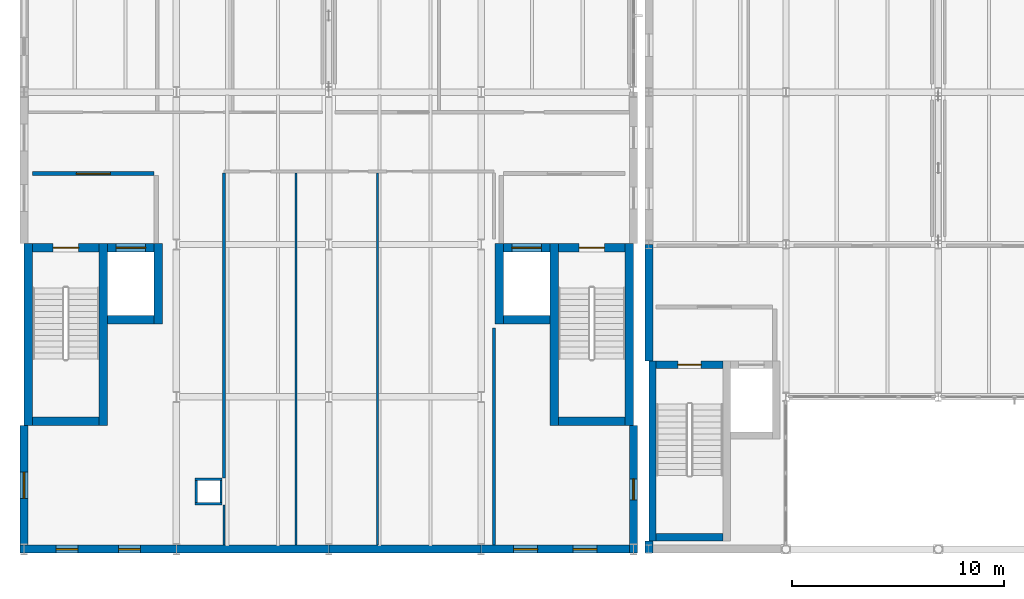
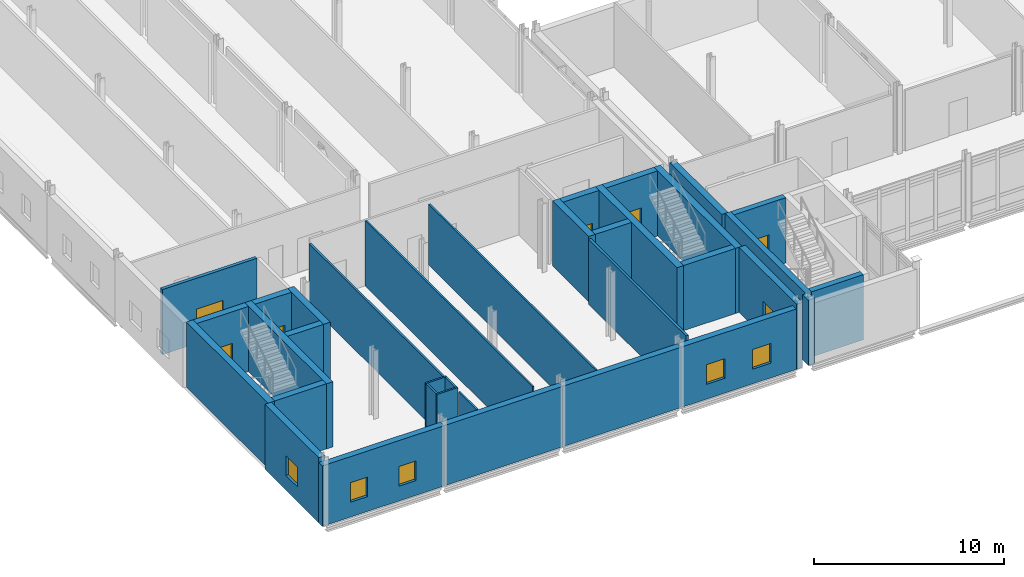
# One storey, part 51 of 76: 35 walls, 6 doors, 6 windows, 12 openings.
"""IFC4 building model written with IfcOpenShell, lengths in metres."""

import ifcopenshell
import ifcopenshell.guid

model = None  # the IFC model being written
_history = None  # IfcOwnerHistory: only IFC2X3 demands one
_inside = {}  # id of a spatial element -> (the spatial element, [elements in it])
_under = {}  # id of a project, library or spatial element -> (it, [spatial elements below it])
_declared = {}  # id of a project -> (the project, [libraries it declares])
_typed = {}  # id of a type object -> (the type object, [elements of that type])
_made_of = {}  # id of a material, layer set ... -> (it, [elements and type objects made of it])


def new_model(schema):
    """Start an empty IFC model of exactly this schema.

    Asked for "IFC4X3", IfcOpenShell would pick the latest addendum, in which some entities
    have other attributes; the version numbers below select the first issue.
    IFC2X3 requires an IfcOwnerHistory on every rooted entity: one is made here for all.
    """
    global model, _history
    if schema == "IFC4X3":
        model = ifcopenshell.file(schema_version=(4, 3, 0, 0))
    else:
        model = ifcopenshell.file(schema=schema)
    _inside.clear()
    _under.clear()
    _declared.clear()
    _typed.clear()
    _made_of.clear()
    _history = None
    if model.schema == "IFC2X3":
        org = make("IfcOrganization", Name="unknown")
        user = make(
            "IfcPersonAndOrganization",
            ThePerson=make("IfcPerson", FamilyName="unknown"),
            TheOrganization=org,
        )
        app = make(
            "IfcApplication",
            ApplicationDeveloper=org,
            Version="unknown",
            ApplicationFullName="unknown",
            ApplicationIdentifier="unknown",
        )
        _history = make(
            "IfcOwnerHistory",
            OwningUser=user,
            OwningApplication=app,
            ChangeAction="ADDED",
            CreationDate=0,
        )
    return model


def make(cls, **values):
    """One entity of the class cls with the attributes given. An attribute that is None is left unset."""
    return model.create_entity(
        cls, **{name: value for name, value in values.items() if value is not None}
    )


def rooted(cls, **values):
    """An entity with a GlobalId (a new one), such as an element, a storey or a relation."""
    return make(cls, GlobalId=ifcopenshell.guid.new(), OwnerHistory=_history, **values)


def si_unit(unit_type, name, prefix=None):
    """IfcSIUnit, for example si_unit("LENGTHUNIT", "METRE", prefix="MILLI")."""
    return make("IfcSIUnit", UnitType=unit_type, Prefix=prefix, Name=name)


def assignment(units):
    """IfcUnitAssignment: the units of a project."""
    return None if units is None else make("IfcUnitAssignment", Units=units)


def point(xyz):
    """IfcCartesianPoint."""
    return None if xyz is None else make("IfcCartesianPoint", Coordinates=xyz)


def direction(xyz):
    """IfcDirection."""
    return None if xyz is None else make("IfcDirection", DirectionRatios=xyz)


def frame(location, z_axis=None, x_axis=None):
    """IfcAxis2Placement3D, a coordinate frame: its origin and axes. An axis left out is left unset."""
    return make(
        "IfcAxis2Placement3D",
        Location=point(location),
        Axis=direction(z_axis),
        RefDirection=direction(x_axis),
    )


def frame_2d(location, x_axis=None):
    """IfcAxis2Placement2D, a coordinate frame in the plane: its origin and x axis."""
    return make(
        "IfcAxis2Placement2D", Location=point(location), RefDirection=direction(x_axis)
    )


def origin():
    """The frame at (0, 0, 0) with its axes left unset."""
    return frame((0.0, 0.0, 0.0))


def place(relative_to, where):
    """IfcLocalPlacement: puts the frame where relative to a parent placement (None: the world)."""
    return make(
        "IfcLocalPlacement", PlacementRelTo=relative_to, RelativePlacement=where
    )


def context(
    kind, dimensions, precision=None, world=None, true_north=None, identifier=None
):
    """IfcGeometricRepresentationContext, for example the 3D "Model" context."""
    return make(
        "IfcGeometricRepresentationContext",
        ContextIdentifier=identifier,
        ContextType=kind,
        CoordinateSpaceDimension=dimensions,
        Precision=precision,
        WorldCoordinateSystem=world,
        TrueNorth=true_north,
    )


def subcontext(parent, identifier, kind, view, scale=None):
    """IfcGeometricRepresentationSubContext, for example "Body" below "Model"."""
    return make(
        "IfcGeometricRepresentationSubContext",
        ContextIdentifier=identifier,
        ContextType=kind,
        ParentContext=parent,
        TargetScale=scale,
        TargetView=view,
    )


def project(units=None, contexts=None):
    """IfcProject with its units and contexts."""
    return rooted(
        "IfcProject",
        Name="project",
        RepresentationContexts=contexts,
        UnitsInContext=assignment(units),
    )


def spatial(cls, under=None, at=None, **own):
    """A site, building, storey or space (cls), placed at a placement, below another one or the project."""
    s = rooted(cls, ObjectPlacement=at, **own)
    if under is not None:
        _under.setdefault(under.id(), (under, []))[1].append(s)
    return s


def profile(cls, at=None, kind="AREA", **sizes):
    """A parametric profile (cls). Its sizes go by their IFC names, for example OverallWidth=200.0."""
    return make(cls, ProfileType=kind, Position=at, **sizes)


def rectangle(**sizes):
    """IfcRectangleProfileDef."""
    return profile("IfcRectangleProfileDef", **sizes)


def extrude(swept, where, along, depth):
    """IfcExtrudedAreaSolid: the profile swept, set in the frame where, extruded along a direction by depth."""
    return make(
        "IfcExtrudedAreaSolid",
        SweptArea=swept,
        Position=where,
        ExtrudedDirection=direction(along),
        Depth=depth,
    )


def shape(context_of_items, identifier, shape_type, items):
    """IfcShapeRepresentation: the items that make up one representation, for example the "Body"."""
    return make(
        "IfcShapeRepresentation",
        ContextOfItems=context_of_items,
        RepresentationIdentifier=identifier,
        RepresentationType=shape_type,
        Items=items,
    )


def material(Name=None, Category=None):
    """IfcMaterial."""
    return make("IfcMaterial", Name=Name, Category=Category)


def layer(
    of_material, thickness, ventilated=None, Name=None, Category=None, Priority=None
):
    """IfcMaterialLayer: one layer of a wall or slab, of a material (None: an air gap)."""
    return make(
        "IfcMaterialLayer",
        Material=of_material,
        LayerThickness=thickness,
        IsVentilated=ventilated,
        Name=Name,
        Category=Category,
        Priority=Priority,
    )


def layer_set(layers, Name=None):
    """IfcMaterialLayerSet."""
    return make("IfcMaterialLayerSet", MaterialLayers=layers, LayerSetName=Name)


def made_of(thing, what):
    """Note that an element or type object is made of a material, layer set ...; save() writes the relation."""
    if what is not None:
        _made_of.setdefault(what.id(), (what, []))[1].append(thing)
    return thing


def type_object(cls, material=None, **own):
    """A type object (cls), such as IfcWallType, which elements share."""
    return made_of(rooted(cls, **own), material)


def element(
    cls,
    number,
    at=None,
    inside=None,
    cuts=None,
    type_object=None,
    material=None,
    context=None,
    identifier="Body",
    shape_type=None,
    held_by="IfcProductDefinitionShape",
    body=None,
    shapes=None,
    **own,
):
    """One element of the class cls, such as IfcWall. Its Tag is "e" and its number.

    at: its placement. inside: the storey or other place that contains it. cuts: it is an
    opening in that element (IfcRelVoidsElement). A single representation is given by context,
    identifier, shape_type and body (its items); several are given by shapes. held_by: the class
    of the entity that holds the representations. save() writes the other relations.
    """
    e = rooted(cls, Tag="e%d" % number, ObjectPlacement=at, **own)
    if body is not None:
        shapes = [shape(context, identifier, shape_type, body)]
    if shapes is not None:
        e.Representation = make(held_by, Representations=shapes)
    if inside is not None:
        _inside.setdefault(inside.id(), (inside, []))[1].append(e)
    if cuts is not None:
        rooted(
            "IfcRelVoidsElement", RelatingBuildingElement=cuts, RelatedOpeningElement=e
        )
    if type_object is not None:
        _typed.setdefault(type_object.id(), (type_object, []))[1].append(e)
    return made_of(e, material)


def fill(opening, filler):
    """IfcRelFillsElement: the door or window that sits in an opening."""
    return rooted(
        "IfcRelFillsElement",
        RelatingOpeningElement=opening,
        RelatedBuildingElement=filler,
    )


def aggregate(whole, parts):
    """IfcRelAggregates: a whole, such as a stair, and the parts it consists of."""
    return rooted("IfcRelAggregates", RelatingObject=whole, RelatedObjects=parts)


def save(model, path):
    """Write the relations noted so far, then the file.

    IfcRelAggregates (storeys below a building ...), IfcRelContainedInSpatialStructure (elements
    in a storey), IfcRelDefinesByType, IfcRelAssociatesMaterial and IfcRelDeclares: one each for
    every whole, place, type object, material and project.
    """
    for whole, parts in _under.values():
        aggregate(whole, parts)
    for where, things in _inside.values():
        rooted(
            "IfcRelContainedInSpatialStructure",
            RelatedElements=things,
            RelatingStructure=where,
        )
    for kind, things in _typed.values():
        rooted("IfcRelDefinesByType", RelatedObjects=things, RelatingType=kind)
    for what, things in _made_of.values():
        rooted("IfcRelAssociatesMaterial", RelatedObjects=things, RelatingMaterial=what)
    for by, libraries in _declared.values():
        rooted("IfcRelDeclares", RelatingContext=by, RelatedDefinitions=libraries)
    model.write(path)


model = new_model("IFC4")

# Units and contexts
model_context = context("Model", 3, precision=1e-05, world=origin(), true_north=direction((0.0, 1.0)))
body_context = subcontext(model_context, "Body", "Model", "MODEL_VIEW")
ifc_project = project(units=[si_unit("LENGTHUNIT", "METRE"), si_unit("AREAUNIT", "SQUARE_METRE"), si_unit("VOLUMEUNIT", "CUBIC_METRE"), si_unit("PLANEANGLEUNIT", "RADIAN"), si_unit("MASSUNIT", "GRAM", prefix="KILO")], contexts=[model_context])

# Site, building, storey
site_placement = place(None, origin())
site = spatial("IfcSite", under=ifc_project, at=site_placement, CompositionType="ELEMENT")
building_placement = place(site_placement, origin())
building = spatial("IfcBuilding", under=site, at=building_placement, Name="Zarrinpeak Specialist Clinic", CompositionType="ELEMENT")
storey_placement = place(building_placement, frame((0.0, 0.0, 5.199951171875)))
storey = spatial("IfcBuildingStorey", under=building, at=storey_placement, Name="L01", CompositionType="ELEMENT", Elevation=5.199951171875)

# Wall
ifc_material_1 = material(Name="Concrete C40/50", Category="concrete")
ifc_layer_1 = layer(ifc_material_1, 0.35009765625)
ifc_layer_set_1 = layer_set([ifc_layer_1], Name="Concrete C40/50")
wall_type_1 = type_object("IfcWallType", Name="WL-CR350", PredefinedType="SHEAR", material=ifc_layer_set_1)
wall_1_placement = place(storey_placement, frame((29.8701171875, 0.574951171875, 0.0), z_axis=(0.0, 0.0, 1.0), x_axis=(1.0, 0.0, 0.0)))
element("IfcWall", 1, at=wall_1_placement, inside=storey, type_object=wall_type_1, Name="L01 Core C03 Shear Wall STS", PredefinedType="SHEAR", context=body_context, shape_type="SweptSolid", body=[
    extrude(rectangle(XDim=3.14990234375, YDim=0.35009765625, at=frame_2d((1.574951171875, 0.0))), origin(), (0.0, 0.0, 1.0), 4.18505859375),
])

# Wall, opening, door
wall_2_placement = place(storey_placement, frame((29.8701171875, 8.72509765625, 0.0), z_axis=(0.0, 0.0, 1.0), x_axis=(1.0, 0.0, 0.0)))
wall_2 = element("IfcWall", 2, at=wall_2_placement, inside=storey, type_object=wall_type_1, Name="L01 Core C03 Shear Wall STN", PredefinedType="SHEAR", context=body_context, shape_type="SweptSolid", body=[
    extrude(rectangle(XDim=3.14990234375, YDim=0.35009765625, at=frame_2d((1.574951171875, 0.0))), origin(), (0.0, 0.0, 1.0), 4.18505859375),
])
opening_1_placement = place(wall_2_placement, frame((1.02490234375, 0.0, 0.0)))
opening_1 = element("IfcOpeningElement", 3, at=opening_1_placement, cuts=wall_2, Name="Opening D-S02", PredefinedType="OPENING", context=body_context, shape_type="SweptSolid", body=[
    extrude(rectangle(XDim=1.10009765625, YDim=2.14990234375, at=frame_2d((0.550048828125, 1.074951171875))), frame((0.0, 0.18505859375, 0.0), z_axis=(0.0, -1.0, 0.0), x_axis=(1.0, 0.0, 0.0)), (0.0, 0.0, 1.0), 0.3701171875),
])
ifc_material_2 = material(Name="Powder-Coated Galvanised Steel", Category="steel")
door_type_1 = type_object("IfcDoorType", Name="DR-FD110", OperationType="SINGLE_SWING_RIGHT", PredefinedType="DOOR", material=ifc_material_2)
door_1_placement = place(opening_1_placement, frame((1.10009765625, 0.0, 0.0), z_axis=(0.0, 0.0, 1.0), x_axis=(-1.0, 0.0, 0.0)))
door_1 = element("IfcDoor", 4, at=door_1_placement, inside=storey, type_object=door_type_1, Name="L01 Protected Stair ST-03 Fire Door", OperationType="SINGLE_SWING_RIGHT", OverallHeight=2.14990234375, OverallWidth=1.10009765625, PredefinedType="DOOR", context=body_context, shape_type="SweptSolid", body=[
    extrude(rectangle(XDim=1.10009765625, YDim=2.14990234375, at=frame_2d((0.550048828125, 1.074951171875))), frame((0.0, 0.02490234375, 0.0), z_axis=(0.0, -1.0, 0.0), x_axis=(1.0, 0.0, 0.0)), (0.0, 0.0, 1.0), 0.050048828125),
])
fill(opening_1, door_1)

# Walls
wall_3_placement = place(storey_placement, frame((29.695068359375, 0.39990234375, 0.0), z_axis=(0.0, 0.0, 1.0), x_axis=(0.0, 1.0, 0.0)))
element("IfcWall", 5, at=wall_3_placement, inside=storey, type_object=wall_type_1, Name="L01 Core C03 Shear Wall STW", PredefinedType="SHEAR", context=body_context, shape_type="SweptSolid", body=[
    extrude(rectangle(XDim=8.5, YDim=0.35009765625, at=frame_2d((4.25, 0.0))), origin(), (0.0, 0.0, 1.0), 4.18505859375),
])
ifc_layer_2 = layer(ifc_material_1, 0.39990234375)
ifc_layer_set_2 = layer_set([ifc_layer_2], Name="Concrete C40/50")
wall_type_2 = type_object("IfcWallType", Name="WL-CR400", PredefinedType="SHEAR", material=ifc_layer_set_2)
wall_4_placement = place(storey_placement, frame((0.39990234375, 6.050048828125, 0.0), z_axis=(0.0, 0.0, 1.0), x_axis=(1.0, 0.0, 0.0)))
element("IfcWall", 6, at=wall_4_placement, inside=storey, type_object=wall_type_2, Name="L01 Core C01 Shear Wall STS", PredefinedType="SHEAR", context=body_context, shape_type="SweptSolid", body=[
    extrude(rectangle(XDim=3.150146484375, YDim=0.39990234375, at=frame_2d((1.5751953125, 0.0))), origin(), (0.0, 0.0, 1.0), 4.18505859375),
])

# Wall, opening, door
wall_5_placement = place(storey_placement, frame((0.39990234375, 14.25, 0.0), z_axis=(0.0, 0.0, 1.0), x_axis=(1.0, 0.0, 0.0)))
wall_5 = element("IfcWall", 7, at=wall_5_placement, inside=storey, type_object=wall_type_2, Name="L01 Core C01 Shear Wall STN", PredefinedType="SHEAR", context=body_context, shape_type="SweptSolid", body=[
    extrude(rectangle(XDim=3.150146484375, YDim=0.39990234375, at=frame_2d((1.5751953125, 0.0))), origin(), (0.0, 0.0, 1.0), 4.18505859375),
])
opening_2_placement = place(wall_5_placement, frame((0.97509765625, 0.0, 0.0)))
opening_2 = element("IfcOpeningElement", 8, at=opening_2_placement, cuts=wall_5, Name="Opening D-S01", PredefinedType="OPENING", context=body_context, shape_type="SweptSolid", body=[
    extrude(rectangle(XDim=1.199951171875, YDim=2.14990234375, at=frame_2d((0.60009765625, 1.074951171875))), frame((0.0, 0.2099609375, 0.0), z_axis=(0.0, -1.0, 0.0), x_axis=(1.0, 0.0, 0.0)), (0.0, 0.0, 1.0), 0.419921875),
])
door_type_2 = type_object("IfcDoorType", Name="DR-FD120", OperationType="SINGLE_SWING_LEFT", PredefinedType="DOOR", material=ifc_material_2)
door_2_placement = place(opening_2_placement, frame((1.199951171875, 0.0, 0.0), z_axis=(0.0, 0.0, 1.0), x_axis=(-1.0, 0.0, 0.0)))
door_2 = element("IfcDoor", 9, at=door_2_placement, inside=storey, type_object=door_type_2, Name="L01 Protected Stair ST-01 Fire Door", OperationType="SINGLE_SWING_LEFT", OverallHeight=2.14990234375, OverallWidth=1.199951171875, PredefinedType="DOOR", context=body_context, shape_type="SweptSolid", body=[
    extrude(rectangle(XDim=1.199951171875, YDim=2.14990234375, at=frame_2d((0.60009765625, 1.074951171875))), frame((0.0, 0.02490234375, 0.0), z_axis=(0.0, -1.0, 0.0), x_axis=(1.0, 0.0, 0.0)), (0.0, 0.0, 1.0), 0.050048828125),
])
fill(opening_2, door_2)

# Walls
for number, where, z_axis, x_axis, name in (
    (10, (0.199951171875, 5.85009765625, 0.0), (0.0, 0.0, 1.0), (0.0, 1.0, 0.0), "L01 Core C01 Shear Wall STW"),
    (11, (3.75, 5.85009765625, 0.0), (0.0, 0.0, 1.0), (0.0, 1.0, 0.0), "L01 Core C01 Shear Wall STE"),
):
    element("IfcWall", number, at=place(storey_placement, frame(where, z_axis=z_axis, x_axis=x_axis)), inside=storey, type_object=wall_type_2, Name=name, PredefinedType="SHEAR", context=body_context, shape_type="SweptSolid", body=[
        extrude(rectangle(XDim=8.599853515625, YDim=0.39990234375, at=frame_2d((4.2998046875, 0.0))), origin(), (0.0, 0.0, 1.0), 4.18505859375),
    ])
wall_6_placement = place(storey_placement, frame((3.949951171875, 10.85009765625, 0.0), z_axis=(0.0, 0.0, 1.0), x_axis=(1.0, 0.0, 0.0)))
element("IfcWall", 12, at=wall_6_placement, inside=storey, type_object=wall_type_2, Name="L01 Lift LF-FF1 Shaft Wall LFS", PredefinedType="SHEAR", context=body_context, shape_type="SweptSolid", body=[
    extrude(rectangle(XDim=2.199951171875, YDim=0.39990234375, at=frame_2d((1.10009765625, 0.0))), origin(), (0.0, 0.0, 1.0), 4.18505859375),
])

# Wall, opening, door
wall_7_placement = place(storey_placement, frame((3.949951171875, 14.25, 0.0), z_axis=(0.0, 0.0, 1.0), x_axis=(1.0, 0.0, 0.0)))
wall_7 = element("IfcWall", 13, at=wall_7_placement, inside=storey, type_object=wall_type_2, Name="L01 Lift LF-FF1 Shaft Wall LFN", PredefinedType="SHEAR", context=body_context, shape_type="SweptSolid", body=[
    extrude(rectangle(XDim=2.199951171875, YDim=0.39990234375, at=frame_2d((1.10009765625, 0.0))), origin(), (0.0, 0.0, 1.0), 4.18505859375),
])
opening_3_placement = place(wall_7_placement, frame((0.39990234375, 0.0, 0.0)))
opening_3 = element("IfcOpeningElement", 14, at=opening_3_placement, cuts=wall_7, Name="Opening LD-01", PredefinedType="OPENING", context=body_context, shape_type="SweptSolid", body=[
    extrude(rectangle(XDim=1.39990234375, YDim=2.199951171875, at=frame_2d((0.699951171875, 1.10009765625))), frame((0.0, 0.2099609375, 0.0), z_axis=(0.0, -1.0, 0.0), x_axis=(1.0, 0.0, 0.0)), (0.0, 0.0, 1.0), 0.419921875),
])
door_type_3 = type_object("IfcDoorType", Name="DR-LD140", OperationType="SLIDING_TO_LEFT", PredefinedType="DOOR", material=ifc_material_2)
door_3_placement = place(opening_3_placement, origin())
door_3 = element("IfcDoor", 15, at=door_3_placement, inside=storey, type_object=door_type_3, Name="L01 Lift LF-FF1 Sliding Landing Door", OperationType="SLIDING_TO_LEFT", OverallHeight=2.199951171875, OverallWidth=1.39990234375, PredefinedType="DOOR", context=body_context, shape_type="SweptSolid", body=[
    extrude(rectangle(XDim=1.39990234375, YDim=2.199951171875, at=frame_2d((0.699951171875, 1.10009765625))), frame((0.0, 0.02490234375, 0.0), z_axis=(0.0, -1.0, 0.0), x_axis=(1.0, 0.0, 0.0)), (0.0, 0.0, 1.0), 0.050048828125),
])
fill(opening_3, door_3)

# Walls
wall_8_placement = place(storey_placement, frame((6.35009765625, 10.64990234375, 0.0), z_axis=(0.0, 0.0, 1.0), x_axis=(0.0, 1.0, 0.0)))
element("IfcWall", 16, at=wall_8_placement, inside=storey, type_object=wall_type_2, Name="L01 Lift LF-FF1 Shaft Wall LFE", PredefinedType="SHEAR", context=body_context, shape_type="SweptSolid", body=[
    extrude(rectangle(XDim=3.800048828125, YDim=0.39990234375, at=frame_2d((1.89990234375, 0.0))), origin(), (0.0, 0.0, 1.0), 4.18505859375),
])
wall_9_placement = place(storey_placement, frame((25.25, 6.050048828125, 0.0), z_axis=(0.0, 0.0, 1.0), x_axis=(1.0, 0.0, 0.0)))
element("IfcWall", 17, at=wall_9_placement, inside=storey, type_object=wall_type_2, Name="L01 Core C02 Shear Wall STS", PredefinedType="SHEAR", context=body_context, shape_type="SweptSolid", body=[
    extrude(rectangle(XDim=3.14990234375, YDim=0.39990234375, at=frame_2d((1.574951171875, 0.0))), origin(), (0.0, 0.0, 1.0), 4.18505859375),
])

# Wall, opening, door
wall_10_placement = place(storey_placement, frame((25.25, 14.25, 0.0), z_axis=(0.0, 0.0, 1.0), x_axis=(1.0, 0.0, 0.0)))
wall_10 = element("IfcWall", 18, at=wall_10_placement, inside=storey, type_object=wall_type_2, Name="L01 Core C02 Shear Wall STN", PredefinedType="SHEAR", context=body_context, shape_type="SweptSolid", body=[
    extrude(rectangle(XDim=3.14990234375, YDim=0.39990234375, at=frame_2d((1.574951171875, 0.0))), origin(), (0.0, 0.0, 1.0), 4.18505859375),
])
opening_4_placement = place(wall_10_placement, frame((0.97509765625, 0.0, 0.0)))
opening_4 = element("IfcOpeningElement", 19, at=opening_4_placement, cuts=wall_10, Name="Opening D-S01", PredefinedType="OPENING", context=body_context, shape_type="SweptSolid", body=[
    extrude(rectangle(XDim=1.199951171875, YDim=2.14990234375, at=frame_2d((0.60009765625, 1.074951171875))), frame((0.0, 0.2099609375, 0.0), z_axis=(0.0, -1.0, 0.0), x_axis=(1.0, 0.0, 0.0)), (0.0, 0.0, 1.0), 0.419921875),
])
door_4_placement = place(opening_4_placement, frame((1.199951171875, 0.0, 0.0), z_axis=(0.0, 0.0, 1.0), x_axis=(-1.0, 0.0, 0.0)))
door_4 = element("IfcDoor", 20, at=door_4_placement, inside=storey, type_object=door_type_2, Name="L01 Protected Stair ST-02 Fire Door", OperationType="SINGLE_SWING_LEFT", OverallHeight=2.14990234375, OverallWidth=1.199951171875, PredefinedType="DOOR", context=body_context, shape_type="SweptSolid", body=[
    extrude(rectangle(XDim=1.199951171875, YDim=2.14990234375, at=frame_2d((0.60009765625, 1.074951171875))), frame((0.0, 0.02490234375, 0.0), z_axis=(0.0, -1.0, 0.0), x_axis=(1.0, 0.0, 0.0)), (0.0, 0.0, 1.0), 0.050048828125),
])
fill(opening_4, door_4)

# Walls
for number, where, z_axis, x_axis, name in (
    (21, (25.050048828125, 5.85009765625, 0.0), (0.0, 0.0, 1.0), (0.0, 1.0, 0.0), "L01 Core C02 Shear Wall STW"),
    (22, (28.60009765625, 5.85009765625, 0.0), (0.0, 0.0, 1.0), (0.0, 1.0, 0.0), "L01 Core C02 Shear Wall STE"),
):
    element("IfcWall", number, at=place(storey_placement, frame(where, z_axis=z_axis, x_axis=x_axis)), inside=storey, type_object=wall_type_2, Name=name, PredefinedType="SHEAR", context=body_context, shape_type="SweptSolid", body=[
        extrude(rectangle(XDim=8.599853515625, YDim=0.39990234375, at=frame_2d((4.2998046875, 0.0))), origin(), (0.0, 0.0, 1.0), 4.18505859375),
    ])
wall_11_placement = place(storey_placement, frame((22.64990234375, 10.85009765625, 0.0), z_axis=(0.0, 0.0, 1.0), x_axis=(1.0, 0.0, 0.0)))
element("IfcWall", 23, at=wall_11_placement, inside=storey, type_object=wall_type_2, Name="L01 Lift LF-FF2 Shaft Wall LFS", PredefinedType="SHEAR", context=body_context, shape_type="SweptSolid", body=[
    extrude(rectangle(XDim=2.2001953125, YDim=0.39990234375, at=frame_2d((1.10009765625, 0.0))), origin(), (0.0, 0.0, 1.0), 4.18505859375),
])

# Wall, opening, door
wall_12_placement = place(storey_placement, frame((22.64990234375, 14.25, 0.0), z_axis=(0.0, 0.0, 1.0), x_axis=(1.0, 0.0, 0.0)))
wall_12 = element("IfcWall", 24, at=wall_12_placement, inside=storey, type_object=wall_type_2, Name="L01 Lift LF-FF2 Shaft Wall LFN", PredefinedType="SHEAR", context=body_context, shape_type="SweptSolid", body=[
    extrude(rectangle(XDim=2.2001953125, YDim=0.39990234375, at=frame_2d((1.10009765625, 0.0))), origin(), (0.0, 0.0, 1.0), 4.18505859375),
])
opening_5_placement = place(wall_12_placement, frame((0.39990234375, 0.0, 0.0)))
opening_5 = element("IfcOpeningElement", 25, at=opening_5_placement, cuts=wall_12, Name="Opening LD-01", PredefinedType="OPENING", context=body_context, shape_type="SweptSolid", body=[
    extrude(rectangle(XDim=1.39990234375, YDim=2.199951171875, at=frame_2d((0.699951171875, 1.10009765625))), frame((0.0, 0.2099609375, 0.0), z_axis=(0.0, -1.0, 0.0), x_axis=(1.0, 0.0, 0.0)), (0.0, 0.0, 1.0), 0.419921875),
])
door_5_placement = place(opening_5_placement, origin())
door_5 = element("IfcDoor", 26, at=door_5_placement, inside=storey, type_object=door_type_3, Name="L01 Lift LF-FF2 Sliding Landing Door", OperationType="SLIDING_TO_LEFT", OverallHeight=2.199951171875, OverallWidth=1.39990234375, PredefinedType="DOOR", context=body_context, shape_type="SweptSolid", body=[
    extrude(rectangle(XDim=1.39990234375, YDim=2.199951171875, at=frame_2d((0.699951171875, 1.10009765625))), frame((0.0, 0.02490234375, 0.0), z_axis=(0.0, -1.0, 0.0), x_axis=(1.0, 0.0, 0.0)), (0.0, 0.0, 1.0), 0.050048828125),
])
fill(opening_5, door_5)

# Wall
wall_13_placement = place(storey_placement, frame((22.449951171875, 10.64990234375, 0.0), z_axis=(0.0, 0.0, 1.0), x_axis=(0.0, 1.0, 0.0)))
element("IfcWall", 27, at=wall_13_placement, inside=storey, type_object=wall_type_2, Name="L01 Lift LF-FF2 Shaft Wall LFW", PredefinedType="SHEAR", context=body_context, shape_type="SweptSolid", body=[
    extrude(rectangle(XDim=3.800048828125, YDim=0.39990234375, at=frame_2d((1.89990234375, 0.0))), origin(), (0.0, 0.0, 1.0), 4.18505859375),
])

# Wall, openings, windows
ifc_material_3 = material(Name="Precast concrete C40/50", Category="concrete")
ifc_layer_3 = layer(ifc_material_3, 0.3798828125)
ifc_layer_set_3 = layer_set([ifc_layer_3], Name="Precast concrete C40/50")
wall_type_3 = type_object("IfcWallType", Name="WL-EW380", PredefinedType="STANDARD", material=ifc_layer_set_3)
wall_14_placement = place(storey_placement, frame((-0.18994140625, 0.0, 0.0), z_axis=(0.0, 0.0, 1.0), x_axis=(1.0, 0.0, 0.0)))
wall_14 = element("IfcWall", 28, at=wall_14_placement, inside=storey, type_object=wall_type_3, Name="L01 V1 Exterior GRC Wall EW-L01-V1-0015", PredefinedType="STANDARD", context=body_context, shape_type="SweptSolid", body=[
    extrude(rectangle(XDim=7.389892578125, YDim=0.3798828125, at=frame_2d((3.69482421875, 0.0))), origin(), (0.0, 0.0, 1.0), 3.880126953125),
])
opening_6_placement = place(wall_14_placement, frame((1.701904296875, 0.0, 0.949951171875)))
opening_6 = element("IfcOpeningElement", 29, at=opening_6_placement, cuts=wall_14, Name="Opening WS-06", PredefinedType="OPENING", context=body_context, shape_type="SweptSolid", body=[
    extrude(rectangle(XDim=1.030029296875, YDim=1.260009765625, at=frame_2d((0.51513671875, 0.6298828125))), frame((0.0, 0.199951171875, 0.0), z_axis=(0.0, -1.0, 0.0), x_axis=(1.0, 0.0, 0.0)), (0.0, 0.0, 1.0), 0.39990234375),
])
opening_7_placement = place(wall_14_placement, frame((4.657958984375, 0.0, 0.949951171875)))
opening_7 = element("IfcOpeningElement", 30, at=opening_7_placement, cuts=wall_14, Name="Opening WS-06", PredefinedType="OPENING", context=body_context, shape_type="SweptSolid", body=[
    extrude(rectangle(XDim=1.030029296875, YDim=1.260009765625, at=frame_2d((0.51513671875, 0.6298828125))), frame((0.0, 0.199951171875, 0.0), z_axis=(0.0, -1.0, 0.0), x_axis=(1.0, 0.0, 0.0)), (0.0, 0.0, 1.0), 0.39990234375),
])
ifc_material_4 = material(Name="Thermally Broken Aluminium and Low-E Glazing", Category="aluminium")
window_type_1 = type_object("IfcWindowType", Name="WN-SP06", PartitioningType="SINGLE_PANEL", PredefinedType="WINDOW", material=ifc_material_4)
window_1_placement = place(opening_6_placement, origin())
window_1 = element("IfcWindow", 31, at=window_1_placement, inside=storey, type_object=window_type_1, Name="L01 Modular Facade Window WN-L01-0021", OverallHeight=1.260009765625, OverallWidth=1.030029296875, PartitioningType="SINGLE_PANEL", PredefinedType="WINDOW", context=body_context, shape_type="SweptSolid", body=[
    extrude(rectangle(XDim=1.030029296875, YDim=1.260009765625, at=frame_2d((0.51513671875, 0.6298828125))), frame((0.0, 0.030029296875, 0.0), z_axis=(0.0, -1.0, 0.0), x_axis=(1.0, 0.0, 0.0)), (0.0, 0.0, 1.0), 0.06005859375),
])
fill(opening_6, window_1)
window_2_placement = place(opening_7_placement, origin())
window_2 = element("IfcWindow", 32, at=window_2_placement, inside=storey, type_object=window_type_1, Name="L01 Modular Facade Window WN-L01-0022", OverallHeight=1.260009765625, OverallWidth=1.030029296875, PartitioningType="SINGLE_PANEL", PredefinedType="WINDOW", context=body_context, shape_type="SweptSolid", body=[
    extrude(rectangle(XDim=1.030029296875, YDim=1.260009765625, at=frame_2d((0.51513671875, 0.6298828125))), frame((0.0, 0.030029296875, 0.0), z_axis=(0.0, -1.0, 0.0), x_axis=(1.0, 0.0, 0.0)), (0.0, 0.0, 1.0), 0.06005859375),
])
fill(opening_7, window_2)

# Walls
wall_15_placement = place(storey_placement, frame((7.199951171875, 0.0, 0.0), z_axis=(0.0, 0.0, 1.0), x_axis=(1.0, 0.0, 0.0)))
element("IfcWall", 33, at=wall_15_placement, inside=storey, type_object=wall_type_3, Name="L01 V1 Exterior GRC Wall EW-L01-V1-0016", PredefinedType="STANDARD", context=body_context, shape_type="SweptSolid", body=[
    extrude(rectangle(XDim=7.199951171875, YDim=0.3798828125, at=frame_2d((3.60009765625, 0.0))), origin(), (0.0, 0.0, 1.0), 3.880126953125),
])
wall_16_placement = place(storey_placement, frame((14.39990234375, 0.0, 0.0), z_axis=(0.0, 0.0, 1.0), x_axis=(1.0, 0.0, 0.0)))
element("IfcWall", 34, at=wall_16_placement, inside=storey, type_object=wall_type_3, Name="L01 V1 Exterior GRC Wall EW-L01-V1-0017", PredefinedType="STANDARD", context=body_context, shape_type="SweptSolid", body=[
    extrude(rectangle(XDim=7.2001953125, YDim=0.3798828125, at=frame_2d((3.60009765625, 0.0))), origin(), (0.0, 0.0, 1.0), 3.880126953125),
])

# Wall, openings, windows
wall_17_placement = place(storey_placement, frame((21.60009765625, 0.0, 0.0), z_axis=(0.0, 0.0, 1.0), x_axis=(1.0, 0.0, 0.0)))
wall_17 = element("IfcWall", 35, at=wall_17_placement, inside=storey, type_object=wall_type_3, Name="L01 V1 Exterior GRC Wall EW-L01-V1-0018", PredefinedType="STANDARD", context=body_context, shape_type="SweptSolid", body=[
    extrude(rectangle(XDim=7.010009765625, YDim=0.3798828125, at=frame_2d((3.5048828125, 0.0))), origin(), (0.0, 0.0, 1.0), 3.880126953125),
])
opening_8_placement = place(wall_17_placement, frame((1.537109375, 0.0, 0.949951171875)))
opening_8 = element("IfcOpeningElement", 36, at=opening_8_placement, cuts=wall_17, Name="Opening WS-09", PredefinedType="OPENING", context=body_context, shape_type="SweptSolid", body=[
    extrude(rectangle(XDim=1.132080078125, YDim=1.260009765625, at=frame_2d((0.56591796875, 0.6298828125))), frame((0.0, 0.199951171875, 0.0), z_axis=(0.0, -1.0, 0.0), x_axis=(1.0, 0.0, 0.0)), (0.0, 0.0, 1.0), 0.39990234375),
])
opening_9_placement = place(wall_17_placement, frame((4.341064453125, 0.0, 0.949951171875)))
opening_9 = element("IfcOpeningElement", 37, at=opening_9_placement, cuts=wall_17, Name="Opening WS-09", PredefinedType="OPENING", context=body_context, shape_type="SweptSolid", body=[
    extrude(rectangle(XDim=1.132080078125, YDim=1.260009765625, at=frame_2d((0.56591796875, 0.6298828125))), frame((0.0, 0.199951171875, 0.0), z_axis=(0.0, -1.0, 0.0), x_axis=(1.0, 0.0, 0.0)), (0.0, 0.0, 1.0), 0.39990234375),
])
window_type_2 = type_object("IfcWindowType", Name="WN-SP09", PartitioningType="SINGLE_PANEL", PredefinedType="WINDOW", material=ifc_material_4)
window_3_placement = place(opening_8_placement, origin())
window_3 = element("IfcWindow", 38, at=window_3_placement, inside=storey, type_object=window_type_2, Name="L01 Modular Facade Window WN-L01-0023", OverallHeight=1.260009765625, OverallWidth=1.132080078125, PartitioningType="SINGLE_PANEL", PredefinedType="WINDOW", context=body_context, shape_type="SweptSolid", body=[
    extrude(rectangle(XDim=1.132080078125, YDim=1.260009765625, at=frame_2d((0.56591796875, 0.6298828125))), frame((0.0, 0.030029296875, 0.0), z_axis=(0.0, -1.0, 0.0), x_axis=(1.0, 0.0, 0.0)), (0.0, 0.0, 1.0), 0.06005859375),
])
fill(opening_8, window_3)
window_4_placement = place(opening_9_placement, origin())
window_4 = element("IfcWindow", 39, at=window_4_placement, inside=storey, type_object=window_type_2, Name="L01 Modular Facade Window WN-L01-0024", OverallHeight=1.260009765625, OverallWidth=1.132080078125, PartitioningType="SINGLE_PANEL", PredefinedType="WINDOW", context=body_context, shape_type="SweptSolid", body=[
    extrude(rectangle(XDim=1.132080078125, YDim=1.260009765625, at=frame_2d((0.56591796875, 0.6298828125))), frame((0.0, 0.030029296875, 0.0), z_axis=(0.0, -1.0, 0.0), x_axis=(1.0, 0.0, 0.0)), (0.0, 0.0, 1.0), 0.06005859375),
])
fill(opening_9, window_4)

# Wall, opening, window
wall_18_placement = place(storey_placement, frame((0.0, 5.85009765625, 0.0), z_axis=(0.0, 0.0, 1.0), x_axis=(0.0, -1.0, 0.0)))
wall_18 = element("IfcWall", 40, at=wall_18_placement, inside=storey, type_object=wall_type_3, Name="L01 V1 Exterior GRC Wall EW-L01-V1-0021", PredefinedType="STANDARD", context=body_context, shape_type="SweptSolid", body=[
    extrude(rectangle(XDim=5.66015625, YDim=0.3798828125, at=frame_2d((2.830078125, 0.0))), origin(), (0.0, 0.0, 1.0), 4.18505859375),
])
opening_10_placement = place(wall_18_placement, frame((2.212890625, 0.0, 0.949951171875)))
opening_10 = element("IfcOpeningElement", 41, at=opening_10_placement, cuts=wall_18, Name="Opening WS-12", PredefinedType="OPENING", context=body_context, shape_type="SweptSolid", body=[
    extrude(rectangle(XDim=1.23388671875, YDim=1.260009765625, at=frame_2d((0.616943359375, 0.6298828125))), frame((0.0, 0.199951171875, 0.0), z_axis=(0.0, -1.0, 0.0), x_axis=(1.0, 0.0, 0.0)), (0.0, 0.0, 1.0), 0.39990234375),
])
window_type_3 = type_object("IfcWindowType", Name="WN-SP12", PartitioningType="SINGLE_PANEL", PredefinedType="WINDOW", material=ifc_material_4)
window_5_placement = place(opening_10_placement, origin())
window_5 = element("IfcWindow", 42, at=window_5_placement, inside=storey, type_object=window_type_3, Name="L01 Modular Facade Window WN-L01-0029", OverallHeight=1.260009765625, OverallWidth=1.23388671875, PartitioningType="SINGLE_PANEL", PredefinedType="WINDOW", context=body_context, shape_type="SweptSolid", body=[
    extrude(rectangle(XDim=1.23388671875, YDim=1.260009765625, at=frame_2d((0.616943359375, 0.6298828125))), frame((0.0, 0.030029296875, 0.0), z_axis=(0.0, -1.0, 0.0), x_axis=(1.0, 0.0, 0.0)), (0.0, 0.0, 1.0), 0.06005859375),
])
fill(opening_10, window_5)

wall_19_placement = place(storey_placement, frame((28.800048828125, -0.18994140625, 0.0), z_axis=(0.0, 0.0, 1.0), x_axis=(0.0, 1.0, 0.0)))
wall_19 = element("IfcWall", 43, at=wall_19_placement, inside=storey, type_object=wall_type_3, Name="L01 V1 Exterior GRC Wall EW-L01-V1-0027", PredefinedType="STANDARD", context=body_context, shape_type="SweptSolid", body=[
    extrude(rectangle(XDim=6.0400390625, YDim=0.3798828125, at=frame_2d((3.02001953125, 0.0))), origin(), (0.0, 0.0, 1.0), 4.18505859375),
])
opening_11_placement = place(wall_19_placement, frame((2.52197265625, 0.0, 0.949951171875)))
opening_11 = element("IfcOpeningElement", 44, at=opening_11_placement, cuts=wall_19, Name="Opening WS-18", PredefinedType="OPENING", context=body_context, shape_type="SweptSolid", body=[
    extrude(rectangle(XDim=0.99609375, YDim=1.2958984375, at=frame_2d((0.498046875, 0.64794921875))), frame((0.0, 0.199951171875, 0.0), z_axis=(0.0, -1.0, 0.0), x_axis=(1.0, 0.0, 0.0)), (0.0, 0.0, 1.0), 0.39990234375),
])
window_type_4 = type_object("IfcWindowType", Name="WN-SP18", PartitioningType="SINGLE_PANEL", PredefinedType="WINDOW", material=ifc_material_4)
window_6_placement = place(opening_11_placement, origin())
window_6 = element("IfcWindow", 45, at=window_6_placement, inside=storey, type_object=window_type_4, Name="L01 Modular Facade Window WN-L01-0040", OverallHeight=1.2958984375, OverallWidth=0.99609375, PartitioningType="SINGLE_PANEL", PredefinedType="WINDOW", context=body_context, shape_type="SweptSolid", body=[
    extrude(rectangle(XDim=0.99609375, YDim=1.2958984375, at=frame_2d((0.498046875, 0.64794921875))), frame((0.0, 0.030029296875, 0.0), z_axis=(0.0, -1.0, 0.0), x_axis=(1.0, 0.0, 0.0)), (0.0, 0.0, 1.0), 0.06005859375),
])
fill(opening_11, window_6)

# Walls
wall_20_placement = place(storey_placement, frame((29.52001953125, 0.39990234375, 0.0), z_axis=(0.0, 0.0, 1.0), x_axis=(0.0, -1.0, 0.0)))
element("IfcWall", 46, at=wall_20_placement, inside=storey, type_object=wall_type_3, Name="L01 V2 Exterior GRC Wall EW-L01-V2-0113", PredefinedType="STANDARD", context=body_context, shape_type="SweptSolid", body=[
    extrude(rectangle(XDim=0.58984375, YDim=0.3798828125, at=frame_2d((0.294921875, 0.0))), origin(), (0.0, 0.0, 1.0), 4.18505859375),
])
wall_21_placement = place(storey_placement, frame((29.52001953125, 14.39990234375, 0.0), z_axis=(0.0, 0.0, 1.0), x_axis=(0.0, -1.0, 0.0)))
element("IfcWall", 47, at=wall_21_placement, inside=storey, type_object=wall_type_3, Name="L01 V2 Exterior GRC Wall EW-L01-V2-0114", PredefinedType="STANDARD", context=body_context, shape_type="SweptSolid", body=[
    extrude(rectangle(XDim=5.5, YDim=0.3798828125, at=frame_2d((2.75, 0.0))), origin(), (0.0, 0.0, 1.0), 4.18505859375),
])
ifc_material_5 = material(Name="Sanitary Service Chase Plumbing Wall", Category="gypsum")
ifc_layer_4 = layer(ifc_material_5, 0.110107421875)
ifc_layer_set_4 = layer_set([ifc_layer_4], Name="Sanitary Service Chase Plumbing Wall")
wall_type_4 = type_object("IfcWallType", Name="WL-IW110", PredefinedType="PARTITIONING", material=ifc_layer_set_4)
for number, where, z_axis, x_axis, name in (
    (48, (8.090087890625, 2.14501953125, 0.0), (0.0, 0.0, 1.0), (1.0, 0.0, 0.0), "L01 V1 Enclosed MEP Service Riser Wall S"),
    (49, (8.090087890625, 3.304931640625, 0.0), (0.0, 0.0, 1.0), (1.0, 0.0, 0.0), "L01 V1 Enclosed MEP Service Riser Wall N"),
):
    element("IfcWall", number, at=place(storey_placement, frame(where, z_axis=z_axis, x_axis=x_axis)), inside=storey, type_object=wall_type_4, Name=name, PredefinedType="PARTITIONING", context=body_context, shape_type="SweptSolid", body=[
        extrude(rectangle(XDim=1.27001953125, YDim=0.110107421875, at=frame_2d((0.635009765625, 0.0))), origin(), (0.0, 0.0, 1.0), 4.18505859375),
    ])
for number, where, z_axis, x_axis, name in (
    (50, (8.14501953125, 2.199951171875, 0.0), (0.0, 0.0, 1.0), (0.0, 1.0, 0.0), "L01 V1 Enclosed MEP Service Riser Wall W"),
    (51, (9.304931640625, 2.199951171875, 0.0), (0.0, 0.0, 1.0), (0.0, 1.0, 0.0), "L01 V1 Enclosed MEP Service Riser Wall E"),
):
    element("IfcWall", number, at=place(storey_placement, frame(where, z_axis=z_axis, x_axis=x_axis)), inside=storey, type_object=wall_type_4, Name=name, PredefinedType="PARTITIONING", context=body_context, shape_type="SweptSolid", body=[
        extrude(rectangle(XDim=1.050048828125, YDim=0.110107421875, at=frame_2d((0.52490234375, 0.0))), origin(), (0.0, 0.0, 1.0), 4.18505859375),
    ])
wall_22_placement = place(storey_placement, frame((9.449951171875, 0.199951171875, 0.0), z_axis=(0.0, 0.0, 1.0), x_axis=(0.0, 1.0, 0.0)))
element("IfcWall", 52, at=wall_22_placement, inside=storey, type_object=wall_type_4, Name="L01 Accessible Patient WC Dividing Partition", PredefinedType="PARTITIONING", context=body_context, shape_type="SweptSolid", body=[
    extrude(rectangle(XDim=1.89013671875, YDim=0.110107421875, at=frame_2d((0.945068359375, 0.0))), origin(), (0.0, 0.0, 1.0), 3.900146484375),
])
wall_23_placement = place(storey_placement, frame((12.85009765625, 0.199951171875, 0.0), z_axis=(0.0, 0.0, 1.0), x_axis=(0.0, 1.0, 0.0)))
element("IfcWall", 53, at=wall_23_placement, inside=storey, type_object=wall_type_4, Name="L01 Accessible Patient WC Dividing Partition", PredefinedType="PARTITIONING", context=body_context, shape_type="SweptSolid", body=[
    extrude(rectangle(XDim=17.587646484375, YDim=0.110107421875, at=frame_2d((8.7939453125, 0.0))), origin(), (0.0, 0.0, 1.0), 4.18505859375),
])
wall_24_placement = place(storey_placement, frame((16.699951171875, 0.199951171875, 0.0), z_axis=(0.0, 0.0, 1.0), x_axis=(0.0, 1.0, 0.0)))
element("IfcWall", 54, at=wall_24_placement, inside=storey, type_object=wall_type_4, Name="L01 Assisted Washroom Dividing Partition", PredefinedType="PARTITIONING", context=body_context, shape_type="SweptSolid", body=[
    extrude(rectangle(XDim=17.587646484375, YDim=0.110107421875, at=frame_2d((8.7939453125, 0.0))), origin(), (0.0, 0.0, 1.0), 3.900146484375),
])
ifc_material_6 = material(Name="Moisture-Resistant Wet-Room Partition", Category="gypsum")
ifc_layer_5 = layer(ifc_material_6, 0.125)
ifc_layer_set_5 = layer_set([ifc_layer_5], Name="Moisture-Resistant Wet-Room Partition")
wall_type_5 = type_object("IfcWallType", Name="WL-IW125W", PredefinedType="PARTITIONING", material=ifc_layer_set_5)
wall_25_placement = place(storey_placement, frame((9.449951171875, 3.360107421875, 0.0), z_axis=(0.0, 0.0, 1.0), x_axis=(0.0, 1.0, 0.0)))
element("IfcWall", 55, at=wall_25_placement, inside=storey, type_object=wall_type_5, Name="L01 Accessible Patient WC Dividing Partition", PredefinedType="PARTITIONING", context=body_context, shape_type="SweptSolid", body=[
    extrude(rectangle(XDim=14.427490234375, YDim=0.125, at=frame_2d((7.2138671875, 0.0))), origin(), (0.0, 0.0, 1.0), 3.900146484375),
])
ifc_material_7 = material(Name="Insulated Clinical Gypsum Stud Partition", Category="gypsum")
ifc_layer_6 = layer(ifc_material_7, 0.14990234375)
ifc_layer_set_6 = layer_set([ifc_layer_6], Name="Insulated Clinical Gypsum Stud Partition")
wall_type_6 = type_object("IfcWallType", Name="WL-IW150", PredefinedType="PARTITIONING", material=ifc_layer_set_6)
wall_26_placement = place(storey_placement, frame((22.199951171875, 0.199951171875, 0.0), z_axis=(0.0, 0.0, 1.0), x_axis=(0.0, 1.0, 0.0)))
element("IfcWall", 56, at=wall_26_placement, inside=storey, type_object=wall_type_6, Name="L01 Nurse Triage Station Dividing Partition", PredefinedType="PARTITIONING", context=body_context, shape_type="SweptSolid", body=[
    extrude(rectangle(XDim=10.25, YDim=0.14990234375, at=frame_2d((5.125, 0.0))), origin(), (0.0, 0.0, 1.0), 4.18505859375),
])

# Wall, opening, door
ifc_material_8 = material(Name="Autoclaved Aerated Concrete Blockwork", Category="masonry")
ifc_layer_7 = layer(ifc_material_8, 0.199951171875)
ifc_layer_set_7 = layer_set([ifc_layer_7], Name="Autoclaved Aerated Concrete Blockwork")
wall_type_7 = type_object("IfcWallType", Name="WL-IW200", PredefinedType="PARTITIONING", material=ifc_layer_set_7)
wall_27_placement = place(storey_placement, frame((0.39990234375, 17.75, 0.0), z_axis=(0.0, 0.0, 1.0), x_axis=(1.0, 0.0, 0.0)))
wall_27 = element("IfcWall", 57, at=wall_27_placement, inside=storey, type_object=wall_type_7, Name="L01 C01 Protected Lobby Partition LBF", PredefinedType="PARTITIONING", context=body_context, shape_type="SweptSolid", body=[
    extrude(rectangle(XDim=5.75, YDim=0.199951171875, at=frame_2d((2.875, 0.0))), origin(), (0.0, 0.0, 1.0), 4.18505859375),
])
opening_12_placement = place(wall_27_placement, frame((2.074951171875, 0.0, 0.0)))
opening_12 = element("IfcOpeningElement", 58, at=opening_12_placement, cuts=wall_27, Name="Opening D-L01", PredefinedType="OPENING", context=body_context, shape_type="SweptSolid", body=[
    extrude(rectangle(XDim=1.60009765625, YDim=2.199951171875, at=frame_2d((0.800048828125, 1.10009765625))), frame((0.0, 0.10986328125, 0.0), z_axis=(0.0, -1.0, 0.0), x_axis=(1.0, 0.0, 0.0)), (0.0, 0.0, 1.0), 0.219970703125),
])
door_type_4 = type_object("IfcDoorType", Name="DR-LB160", OperationType="DOUBLE_DOOR_SINGLE_SWING", PredefinedType="DOOR", material=ifc_material_2)
door_6_placement = place(opening_12_placement, origin())
door_6 = element("IfcDoor", 59, at=door_6_placement, inside=storey, type_object=door_type_4, Name="L01 C01 Lobby Hold-Open Fire Door", OperationType="DOUBLE_DOOR_SINGLE_SWING", OverallHeight=2.199951171875, OverallWidth=1.60009765625, PredefinedType="DOOR", context=body_context, shape_type="SweptSolid", body=[
    extrude(rectangle(XDim=1.60009765625, YDim=2.199951171875, at=frame_2d((0.800048828125, 1.10009765625))), frame((0.0, 0.02490234375, 0.0), z_axis=(0.0, -1.0, 0.0), x_axis=(1.0, 0.0, 0.0)), (0.0, 0.0, 1.0), 0.050048828125),
])
fill(opening_12, door_6)

save(model, "model.ifc")
